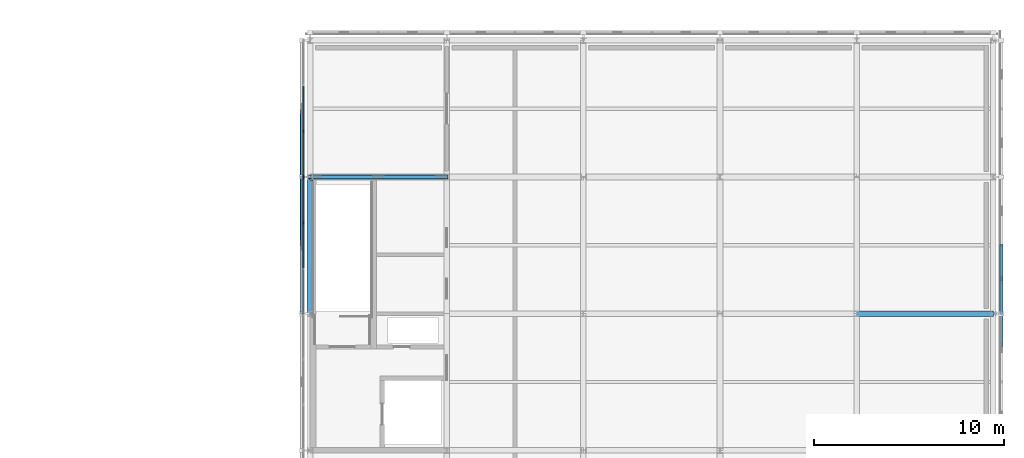
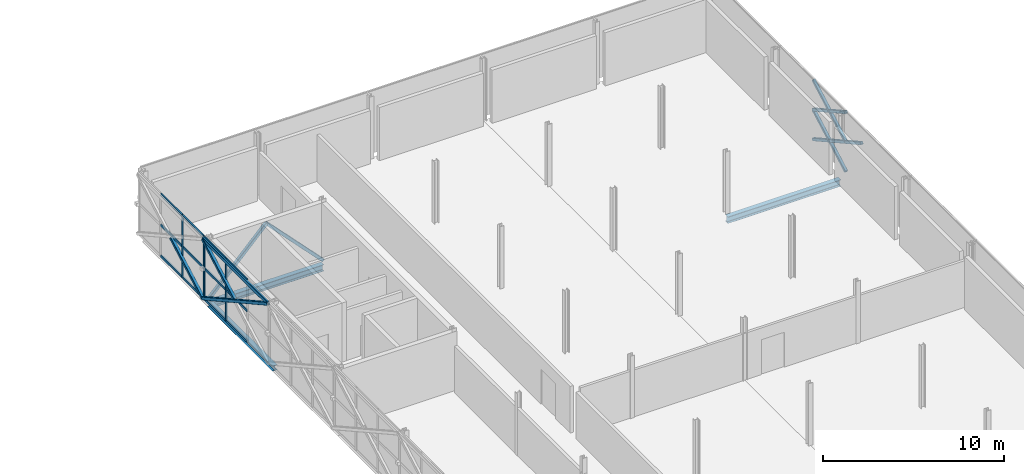
# One storey, part 77 of 146: 29 members, 3 beams, 2 elements without a shape of their own.
"""IFC4 building model written with IfcOpenShell, lengths in metres."""

from ifc_helpers import new_model, si_unit, direction, frame, origin, origin_2d, place, context, subcontext, project, spatial, rectangle, hollow_rectangle, i_section, extrude, material, material_profile, profile_set, type_object, element, aggregate, save


model = new_model("IFC4")

# Units and contexts
model_context = context("Model", 3, precision=1e-05, world=origin(), true_north=direction((0.0, 1.0)))
body_context = subcontext(model_context, "Body", "Model", "MODEL_VIEW")
ifc_project = project(units=[si_unit("LENGTHUNIT", "METRE"), si_unit("AREAUNIT", "SQUARE_METRE"), si_unit("VOLUMEUNIT", "CUBIC_METRE"), si_unit("PLANEANGLEUNIT", "RADIAN"), si_unit("MASSUNIT", "GRAM", prefix="KILO")], contexts=[model_context])

# Site, building, storey
site_placement = place(None, origin())
site = spatial("IfcSite", under=ifc_project, at=site_placement, CompositionType="ELEMENT")
building_placement = place(site_placement, origin())
building = spatial("IfcBuilding", under=site, at=building_placement, Name="Zlatovets Crest Museum", CompositionType="ELEMENT")
storey_placement = place(building_placement, frame((0.0, 0.0, 4.5)))
storey = spatial("IfcBuildingStorey", under=building, at=storey_placement, Name="L01", CompositionType="ELEMENT", Elevation=4.5)

# Beams
ifc_material_1 = material(Name="Structural steel S355J2", Category="steel")
ifc_material_profile_1 = material_profile(ifc_material_1, i_section(OverallWidth=0.300048828125, OverallDepth=0.35009765625, WebThickness=0.010009765625, FlangeThickness=0.017578125, FilletRadius=0.027099609375, at=origin_2d()), Name="HEA 360")
ifc_profile_set_1 = profile_set([ifc_material_profile_1], Name="Structural steel S355J2")
beam_type_1 = type_object("IfcBeamType", Name="Beam_B-03", PredefinedType="BEAM", material=ifc_profile_set_1)
beam_1_placement = place(storey_placement, frame((129.60009765625, 86.39990234375, -0.39501953125), z_axis=(0.0, 1.0, 0.0), x_axis=(-1.0, 0.0, 0.0)))
element("IfcBeam", 1, at=beam_1_placement, inside=storey, type_object=beam_type_1, Name="V5 L01 Grid Beam B-03", PredefinedType="BEAM", context=body_context, shape_type="SweptSolid", body=[
    extrude(i_section(OverallWidth=0.300048828125, OverallDepth=0.35009765625, WebThickness=0.010009765625, FlangeThickness=0.017578125, FilletRadius=0.027099609375, at=origin_2d()), origin(), (0.0, 0.0, 1.0), 7.2001953125),
])
ifc_material_profile_2 = material_profile(ifc_material_1, i_section(OverallWidth=0.300048828125, OverallDepth=0.43994140625, WebThickness=0.011474609375, FlangeThickness=0.02099609375, FilletRadius=0.027099609375, at=origin_2d()), Name="HEA 450")
ifc_profile_set_2 = profile_set([ifc_material_profile_2], Name="Structural steel S355J2")
beam_type_2 = type_object("IfcBeamType", Name="Beam_B-10", PredefinedType="BEAM", material=ifc_profile_set_2)
beam_2_placement = place(storey_placement, frame((158.39990234375, 86.39990234375, -0.43994140625), z_axis=(1.0, 0.0, 0.0), x_axis=(0.0, 1.0, 0.0)))
element("IfcBeam", 2, at=beam_2_placement, inside=storey, type_object=beam_type_2, Name="V5 L01 Primary Girder B-10", PredefinedType="BEAM", context=body_context, shape_type="SweptSolid", body=[
    extrude(i_section(OverallWidth=0.300048828125, OverallDepth=0.43994140625, WebThickness=0.011474609375, FlangeThickness=0.02099609375, FilletRadius=0.027099609375, at=origin_2d()), origin(), (0.0, 0.0, 1.0), 7.2001953125),
])
beam_3_placement = place(storey_placement, frame((129.60009765625, 93.60009765625, -0.43994140625), z_axis=(1.0, 0.0, 0.0), x_axis=(0.0, 1.0, 0.0)))
element("IfcBeam", 3, at=beam_3_placement, inside=storey, type_object=beam_type_2, Name="V5 L01 Primary Girder B-10", PredefinedType="BEAM", context=body_context, shape_type="SweptSolid", body=[
    extrude(i_section(OverallWidth=0.300048828125, OverallDepth=0.43994140625, WebThickness=0.011474609375, FlangeThickness=0.02099609375, FilletRadius=0.027099609375, at=origin_2d()), origin(), (0.0, 0.0, 1.0), 7.199951171875),
])

# Curtain wall, members
ifc_material_2 = material(Name="Bronze-anodised aluminium and low-E triple glass", Category="aluminium")
curtain_wall_type_1 = type_object("IfcCurtainWallType", Name="CW_CW-V5-L01-M2", PredefinedType="NOTDEFINED", material=ifc_material_2)
curtain_wall_1_placement = place(storey_placement, origin())
curtain_wall_1 = element("IfcCurtainWall", 4, at=curtain_wall_1_placement, inside=storey, type_object=curtain_wall_type_1, Name="V5 L01 Secession Foyer Clear Curtain Wall", PredefinedType="NOTDEFINED")
ifc_material_3 = material(Name="Bronze-anodised aluminium EN AW-6060", Category="aluminium")
ifc_material_profile_3 = material_profile(ifc_material_3, rectangle(XDim=0.080078125, YDim=0.159912109375, at=origin_2d()), Name="ALU 80x160")
ifc_profile_set_3 = profile_set([ifc_material_profile_3], Name="Bronze-anodised aluminium EN AW-6060")
member_type_1 = type_object("IfcMemberType", Name="CWMull_M1", PredefinedType="MULLION", material=ifc_profile_set_3)
member_1_placement = place(storey_placement, frame((129.260009765625, 96.0, 0.0), z_axis=(0.0, 0.0, 1.0), x_axis=(1.0, 0.0, 0.0)))
member_1 = element("IfcMember", 5, at=member_1_placement, type_object=member_type_1, Name="CW-V5-L01-M2 mullion 3", PredefinedType="MULLION", context=body_context, shape_type="SweptSolid", body=[
    extrude(rectangle(XDim=0.080078125, YDim=0.159912109375, at=origin_2d()), origin(), (0.0, 0.0, 1.0), 4.199951171875),
])
member_2_placement = place(storey_placement, frame((129.260009765625, 93.6298828125, 0.0), z_axis=(0.0, 0.0, 1.0), x_axis=(1.0, 0.0, 0.0)))
member_2 = element("IfcMember", 6, at=member_2_placement, type_object=member_type_1, Name="CW-V5-L01-M2 mullion 4", PredefinedType="MULLION", context=body_context, shape_type="SweptSolid", body=[
    extrude(rectangle(XDim=0.080078125, YDim=0.159912109375, at=origin_2d()), origin(), (0.0, 0.0, 1.0), 4.199951171875),
])

curtain_wall_type_2 = type_object("IfcCurtainWallType", Name="CW_CW-V5-L01-M3", PredefinedType="NOTDEFINED", material=ifc_material_2)
curtain_wall_2_placement = place(storey_placement, origin())
curtain_wall_2 = element("IfcCurtainWall", 7, at=curtain_wall_2_placement, inside=storey, type_object=curtain_wall_type_2, Name="V5 L01 Expressed Core Glazed Facade", PredefinedType="NOTDEFINED")
member_3_placement = place(storey_placement, frame((129.260009765625, 93.570068359375, 0.0), z_axis=(0.0, 0.0, 1.0), x_axis=(1.0, 0.0, 0.0)))
member_3 = element("IfcMember", 8, at=member_3_placement, type_object=member_type_1, Name="CW-V5-L01-M3 mullion 1", PredefinedType="MULLION", context=body_context, shape_type="SweptSolid", body=[
    extrude(rectangle(XDim=0.080078125, YDim=0.159912109375, at=origin_2d()), origin(), (0.0, 0.0, 1.0), 4.199951171875),
])
member_4_placement = place(storey_placement, frame((129.260009765625, 91.199951171875, 0.0), z_axis=(0.0, 0.0, 1.0), x_axis=(1.0, 0.0, 0.0)))
member_4 = element("IfcMember", 9, at=member_4_placement, type_object=member_type_1, Name="CW-V5-L01-M3 mullion 2", PredefinedType="MULLION", context=body_context, shape_type="SweptSolid", body=[
    extrude(rectangle(XDim=0.080078125, YDim=0.159912109375, at=origin_2d()), origin(), (0.0, 0.0, 1.0), 4.199951171875),
])

# Member
ifc_material_profile_4 = material_profile(ifc_material_3, rectangle(XDim=0.080078125, YDim=0.159912109375, at=origin_2d()), Name="ALU 80x160")
ifc_profile_set_4 = profile_set([ifc_material_profile_4], Name="Bronze-anodised aluminium EN AW-6060")
member_type_2 = type_object("IfcMemberType", Name="CWTrans_T1", PredefinedType="USERDEFINED", material=ifc_profile_set_4)
member_5_placement = place(storey_placement, frame((129.260009765625, 98.3701171875, 0.030029296875), z_axis=(0.0, -1.0, 0.0), x_axis=(1.0, 0.0, 0.0)))
member_5 = element("IfcMember", 10, at=member_5_placement, type_object=member_type_2, Name="CW-V5-L01-M2 transom 2.1", ObjectType="TRANSOM", PredefinedType="USERDEFINED", context=body_context, shape_type="SweptSolid", body=[
    extrude(rectangle(XDim=0.080078125, YDim=0.159912109375, at=origin_2d()), origin(), (0.0, 0.0, 1.0), 2.340087890625),
])

member_6_placement = place(storey_placement, frame((129.260009765625, 98.3701171875, 2.10009765625), z_axis=(0.0, -1.0, 0.0), x_axis=(1.0, 0.0, 0.0)))
member_6 = element("IfcMember", 11, at=member_6_placement, type_object=member_type_2, Name="CW-V5-L01-M2 transom 2.2", ObjectType="TRANSOM", PredefinedType="USERDEFINED", context=body_context, shape_type="SweptSolid", body=[
    extrude(rectangle(XDim=0.080078125, YDim=0.159912109375, at=origin_2d()), origin(), (0.0, 0.0, 1.0), 2.340087890625),
])

member_7_placement = place(storey_placement, frame((129.260009765625, 98.3701171875, 4.169921875), z_axis=(0.0, -1.0, 0.0), x_axis=(1.0, 0.0, 0.0)))
member_7 = element("IfcMember", 12, at=member_7_placement, type_object=member_type_2, Name="CW-V5-L01-M2 transom 2.3", ObjectType="TRANSOM", PredefinedType="USERDEFINED", context=body_context, shape_type="SweptSolid", body=[
    extrude(rectangle(XDim=0.080078125, YDim=0.159912109375, at=origin_2d()), origin(), (0.0, 0.0, 1.0), 2.340087890625),
])

member_8_placement = place(storey_placement, frame((129.260009765625, 95.969970703125, 0.030029296875), z_axis=(0.0, -1.0, 0.0), x_axis=(1.0, 0.0, 0.0)))
member_8 = element("IfcMember", 13, at=member_8_placement, type_object=member_type_2, Name="CW-V5-L01-M2 transom 3.1", ObjectType="TRANSOM", PredefinedType="USERDEFINED", context=body_context, shape_type="SweptSolid", body=[
    extrude(rectangle(XDim=0.080078125, YDim=0.159912109375, at=origin_2d()), origin(), (0.0, 0.0, 1.0), 2.31005859375),
])

member_9_placement = place(storey_placement, frame((129.260009765625, 95.969970703125, 2.10009765625), z_axis=(0.0, -1.0, 0.0), x_axis=(1.0, 0.0, 0.0)))
member_9 = element("IfcMember", 14, at=member_9_placement, type_object=member_type_2, Name="CW-V5-L01-M2 transom 3.2", ObjectType="TRANSOM", PredefinedType="USERDEFINED", context=body_context, shape_type="SweptSolid", body=[
    extrude(rectangle(XDim=0.080078125, YDim=0.159912109375, at=origin_2d()), origin(), (0.0, 0.0, 1.0), 2.31005859375),
])

member_10_placement = place(storey_placement, frame((129.260009765625, 95.969970703125, 4.169921875), z_axis=(0.0, -1.0, 0.0), x_axis=(1.0, 0.0, 0.0)))
member_10 = element("IfcMember", 15, at=member_10_placement, type_object=member_type_2, Name="CW-V5-L01-M2 transom 3.3", ObjectType="TRANSOM", PredefinedType="USERDEFINED", context=body_context, shape_type="SweptSolid", body=[
    extrude(rectangle(XDim=0.080078125, YDim=0.159912109375, at=origin_2d()), origin(), (0.0, 0.0, 1.0), 2.31005859375),
])

aggregate(curtain_wall_1, [member_1, member_2, member_5, member_6, member_7, member_8, member_9, member_10])

member_11_placement = place(storey_placement, frame((129.260009765625, 93.5400390625, 0.030029296875), z_axis=(0.0, -1.0, 0.0), x_axis=(1.0, 0.0, 0.0)))
member_11 = element("IfcMember", 16, at=member_11_placement, type_object=member_type_2, Name="CW-V5-L01-M3 transom 1.1", ObjectType="TRANSOM", PredefinedType="USERDEFINED", context=body_context, shape_type="SweptSolid", body=[
    extrude(rectangle(XDim=0.080078125, YDim=0.159912109375, at=origin_2d()), origin(), (0.0, 0.0, 1.0), 2.31005859375),
])

member_12_placement = place(storey_placement, frame((129.260009765625, 93.5400390625, 2.10009765625), z_axis=(0.0, -1.0, 0.0), x_axis=(1.0, 0.0, 0.0)))
member_12 = element("IfcMember", 17, at=member_12_placement, type_object=member_type_2, Name="CW-V5-L01-M3 transom 1.2", ObjectType="TRANSOM", PredefinedType="USERDEFINED", context=body_context, shape_type="SweptSolid", body=[
    extrude(rectangle(XDim=0.080078125, YDim=0.159912109375, at=origin_2d()), origin(), (0.0, 0.0, 1.0), 2.31005859375),
])

member_13_placement = place(storey_placement, frame((129.260009765625, 93.5400390625, 4.169921875), z_axis=(0.0, -1.0, 0.0), x_axis=(1.0, 0.0, 0.0)))
member_13 = element("IfcMember", 18, at=member_13_placement, type_object=member_type_2, Name="CW-V5-L01-M3 transom 1.3", ObjectType="TRANSOM", PredefinedType="USERDEFINED", context=body_context, shape_type="SweptSolid", body=[
    extrude(rectangle(XDim=0.080078125, YDim=0.159912109375, at=origin_2d()), origin(), (0.0, 0.0, 1.0), 2.31005859375),
])

member_14_placement = place(storey_placement, frame((129.260009765625, 91.169921875, 0.030029296875), z_axis=(0.0, -1.0, 0.0), x_axis=(1.0, 0.0, 0.0)))
member_14 = element("IfcMember", 19, at=member_14_placement, type_object=member_type_2, Name="CW-V5-L01-M3 transom 2.1", ObjectType="TRANSOM", PredefinedType="USERDEFINED", context=body_context, shape_type="SweptSolid", body=[
    extrude(rectangle(XDim=0.080078125, YDim=0.159912109375, at=origin_2d()), origin(), (0.0, 0.0, 1.0), 2.33984375),
])

member_15_placement = place(storey_placement, frame((129.260009765625, 91.169921875, 2.10009765625), z_axis=(0.0, -1.0, 0.0), x_axis=(1.0, 0.0, 0.0)))
member_15 = element("IfcMember", 20, at=member_15_placement, type_object=member_type_2, Name="CW-V5-L01-M3 transom 2.2", ObjectType="TRANSOM", PredefinedType="USERDEFINED", context=body_context, shape_type="SweptSolid", body=[
    extrude(rectangle(XDim=0.080078125, YDim=0.159912109375, at=origin_2d()), origin(), (0.0, 0.0, 1.0), 2.33984375),
])

member_16_placement = place(storey_placement, frame((129.260009765625, 91.169921875, 4.169921875), z_axis=(0.0, -1.0, 0.0), x_axis=(1.0, 0.0, 0.0)))
member_16 = element("IfcMember", 21, at=member_16_placement, type_object=member_type_2, Name="CW-V5-L01-M3 transom 2.3", ObjectType="TRANSOM", PredefinedType="USERDEFINED", context=body_context, shape_type="SweptSolid", body=[
    extrude(rectangle(XDim=0.080078125, YDim=0.159912109375, at=origin_2d()), origin(), (0.0, 0.0, 1.0), 2.33984375),
])

aggregate(curtain_wall_2, [member_3, member_4, member_11, member_12, member_13, member_14, member_15, member_16])

# Members
ifc_material_4 = material(Name="Weathering bronze-steel S355J2W", Category="steel")
ifc_material_profile_5 = material_profile(ifc_material_4, hollow_rectangle(XDim=0.179931640625, YDim=0.179931640625, WallThickness=0.010009765625, InnerFilletRadius=0.010009765625, OuterFilletRadius=0.02001953125, at=origin_2d()), Name="SHS 180x180x10.0")
ifc_profile_set_5 = profile_set([ifc_material_profile_5], Name="Weathering bronze-steel S355J2W")
member_type_3 = type_object("IfcMemberType", Name="Lattice_XL-01", PredefinedType="BRACE", material=ifc_profile_set_5)
member_17_placement = place(storey_placement, frame((166.02001953125, 84.68310546875, 3.053955078125), z_axis=(0.0, 0.874139684676, -0.48567459443), x_axis=(-1.0, 0.0, 0.0)))
element("IfcMember", 22, at=member_17_placement, inside=storey, type_object=member_type_3, Name="Split Crossing Bronze Lattice Diagonal Lower", PredefinedType="BRACE", context=body_context, shape_type="SweptSolid", body=[
    extrude(hollow_rectangle(XDim=0.179931640625, YDim=0.179931640625, WallThickness=0.010009765625, InnerFilletRadius=0.010009765625, OuterFilletRadius=0.02001953125, at=origin_2d()), origin(), (0.0, 0.0, 1.0), 1.9638671875),
])
member_18_placement = place(storey_placement, frame((166.02001953125, 86.39990234375, 0.10009765625), z_axis=(0.0, 0.874162868644, 0.485632864501), x_axis=(-1.0, 0.0, 0.0)))
element("IfcMember", 23, at=member_18_placement, inside=storey, type_object=member_type_3, Name="Continuous Bronze Lattice Diagonal", PredefinedType="BRACE", context=body_context, shape_type="SweptSolid", body=[
    extrude(hollow_rectangle(XDim=0.179931640625, YDim=0.179931640625, WallThickness=0.010009765625, InnerFilletRadius=0.010009765625, OuterFilletRadius=0.02001953125, at=origin_2d()), origin(), (0.0, 0.0, 1.0), 4.118408203125),
])
member_19_placement = place(storey_placement, frame((166.02001953125, 86.39990234375, 2.10009765625), z_axis=(0.0, 0.874116234569, -0.48571679862), x_axis=(-1.0, 0.0, 0.0)))
element("IfcMember", 24, at=member_19_placement, inside=storey, type_object=member_type_3, Name="Split Crossing Bronze Lattice Diagonal Upper", PredefinedType="BRACE", context=body_context, shape_type="SweptSolid", body=[
    extrude(hollow_rectangle(XDim=0.179931640625, YDim=0.179931640625, WallThickness=0.010009765625, InnerFilletRadius=0.010009765625, OuterFilletRadius=0.02001953125, at=origin_2d()), origin(), (0.0, 0.0, 1.0), 1.96435546875),
])
member_20_placement = place(storey_placement, frame((166.02001953125, 88.282958984375, 1.053955078125), z_axis=(0.0, 0.874169001841, -0.485621824284), x_axis=(-1.0, 0.0, 0.0)))
element("IfcMember", 25, at=member_20_placement, inside=storey, type_object=member_type_3, Name="Split Crossing Bronze Lattice Diagonal Lower", PredefinedType="BRACE", context=body_context, shape_type="SweptSolid", body=[
    extrude(hollow_rectangle(XDim=0.179931640625, YDim=0.179931640625, WallThickness=0.010009765625, InnerFilletRadius=0.010009765625, OuterFilletRadius=0.02001953125, at=origin_2d()), origin(), (0.0, 0.0, 1.0), 1.964111328125),
])
member_21_placement = place(storey_placement, frame((166.02001953125, 86.39990234375, 2.10009765625), z_axis=(0.0, 0.874162868644, 0.485632864501), x_axis=(-1.0, 0.0, 0.0)))
element("IfcMember", 26, at=member_21_placement, inside=storey, type_object=member_type_3, Name="Continuous Bronze Lattice Diagonal", PredefinedType="BRACE", context=body_context, shape_type="SweptSolid", body=[
    extrude(hollow_rectangle(XDim=0.179931640625, YDim=0.179931640625, WallThickness=0.010009765625, InnerFilletRadius=0.010009765625, OuterFilletRadius=0.02001953125, at=origin_2d()), origin(), (0.0, 0.0, 1.0), 4.118408203125),
])
member_22_placement = place(storey_placement, frame((166.02001953125, 86.39990234375, 4.10009765625), z_axis=(0.0, 0.874116234569, -0.48571679862), x_axis=(-1.0, 0.0, 0.0)))
element("IfcMember", 27, at=member_22_placement, inside=storey, type_object=member_type_3, Name="Split Crossing Bronze Lattice Diagonal Upper", PredefinedType="BRACE", context=body_context, shape_type="SweptSolid", body=[
    extrude(hollow_rectangle(XDim=0.179931640625, YDim=0.179931640625, WallThickness=0.010009765625, InnerFilletRadius=0.010009765625, OuterFilletRadius=0.02001953125, at=origin_2d()), origin(), (0.0, 0.0, 1.0), 1.96435546875),
])
member_23_placement = place(storey_placement, frame((166.02001953125, 88.282958984375, 3.053955078125), z_axis=(0.0, 0.874169001841, -0.485621824284), x_axis=(-1.0, 0.0, 0.0)))
element("IfcMember", 28, at=member_23_placement, inside=storey, type_object=member_type_3, Name="Split Crossing Bronze Lattice Diagonal Lower", PredefinedType="BRACE", context=body_context, shape_type="SweptSolid", body=[
    extrude(hollow_rectangle(XDim=0.179931640625, YDim=0.179931640625, WallThickness=0.010009765625, InnerFilletRadius=0.010009765625, OuterFilletRadius=0.02001953125, at=origin_2d()), origin(), (0.0, 0.0, 1.0), 1.964111328125),
])
ifc_material_profile_6 = material_profile(ifc_material_4, hollow_rectangle(XDim=0.199951171875, YDim=0.199951171875, WallThickness=0.012451171875, InnerFilletRadius=0.012451171875, OuterFilletRadius=0.02490234375, at=origin_2d()), Name="SHS 200x200x12.5")
ifc_profile_set_6 = profile_set([ifc_material_profile_6], Name="Weathering bronze-steel S355J2W")
member_type_4 = type_object("IfcMemberType", Name="Lattice_XL-02", PredefinedType="BRACE", material=ifc_profile_set_6)
member_24_placement = place(storey_placement, frame((129.179931640625, 97.116943359375, 2.053955078125), z_axis=(0.0, -0.874151551165, -0.485653235958), x_axis=(1.0, 0.0, 0.0)))
element("IfcMember", 29, at=member_24_placement, inside=storey, type_object=member_type_4, Name="Split Crossing Bronze Lattice Diagonal Lower", PredefinedType="BRACE", context=body_context, shape_type="SweptSolid", body=[
    extrude(hollow_rectangle(XDim=0.199951171875, YDim=0.199951171875, WallThickness=0.012451171875, InnerFilletRadius=0.012451171875, OuterFilletRadius=0.02490234375, at=origin_2d()), origin(), (0.0, 0.0, 1.0), 4.023193359375),
])
member_25_placement = place(storey_placement, frame((129.179931640625, 93.60009765625, 0.10009765625), z_axis=(0.0, -0.874162868644, 0.485632864501), x_axis=(1.0, 0.0, 0.0)))
element("IfcMember", 30, at=member_25_placement, inside=storey, type_object=member_type_4, Name="Continuous Bronze Lattice Diagonal", PredefinedType="BRACE", context=body_context, shape_type="SweptSolid", body=[
    extrude(hollow_rectangle(XDim=0.199951171875, YDim=0.199951171875, WallThickness=0.012451171875, InnerFilletRadius=0.012451171875, OuterFilletRadius=0.02490234375, at=origin_2d()), origin(), (0.0, 0.0, 1.0), 8.236572265625),
])
member_26_placement = place(storey_placement, frame((129.179931640625, 93.60009765625, 4.10009765625), z_axis=(0.0, -0.874140102304, -0.485673842763), x_axis=(1.0, 0.0, 0.0)))
element("IfcMember", 31, at=member_26_placement, inside=storey, type_object=member_type_4, Name="Split Crossing Bronze Lattice Diagonal Upper", PredefinedType="BRACE", context=body_context, shape_type="SweptSolid", body=[
    extrude(hollow_rectangle(XDim=0.199951171875, YDim=0.199951171875, WallThickness=0.012451171875, InnerFilletRadius=0.012451171875, OuterFilletRadius=0.02490234375, at=origin_2d()), origin(), (0.0, 0.0, 1.0), 4.0234375),
])
ifc_material_profile_7 = material_profile(ifc_material_4, hollow_rectangle(XDim=0.1201171875, YDim=0.239990234375, WallThickness=0.010009765625, InnerFilletRadius=0.010009765625, OuterFilletRadius=0.02001953125, at=origin_2d()), Name="RHS 120x240x10.0")
ifc_profile_set_7 = profile_set([ifc_material_profile_7], Name="Weathering bronze-steel S355J2W")
member_type_5 = type_object("IfcMemberType", Name="Lattice_XL-04", PredefinedType="CHORD", material=ifc_profile_set_7)
member_27_placement = place(storey_placement, frame((129.179931640625, 93.60009765625, 4.10009765625), z_axis=(0.0, -1.0, 0.0), x_axis=(1.0, 0.0, 0.0)))
element("IfcMember", 32, at=member_27_placement, inside=storey, type_object=member_type_5, Name="Art Nouveau Woven Cage Collector Ring Chord", PredefinedType="CHORD", context=body_context, shape_type="SweptSolid", body=[
    extrude(hollow_rectangle(XDim=0.1201171875, YDim=0.239990234375, WallThickness=0.010009765625, InnerFilletRadius=0.010009765625, OuterFilletRadius=0.02001953125, at=origin_2d()), origin(), (0.0, 0.0, 1.0), 7.2001953125),
])
ifc_material_profile_8 = material_profile(ifc_material_1, hollow_rectangle(XDim=0.199951171875, YDim=0.199951171875, WallThickness=0.012451171875, InnerFilletRadius=0.012451171875, OuterFilletRadius=0.02490234375, at=origin_2d()), Name="SHS 200x200x12.5")
ifc_profile_set_8 = profile_set([ifc_material_profile_8], Name="Structural steel S355J2")
member_type_6 = type_object("IfcMemberType", Name="Member_BR-01", PredefinedType="BRACE", material=ifc_profile_set_8)
member_28_placement = place(storey_placement, frame((129.60009765625, 93.60009765625, 0.0), z_axis=(0.692517163318, 0.0, 0.721401399021), x_axis=(0.0, 1.0, 0.0)))
element("IfcMember", 33, at=member_28_placement, inside=storey, type_object=member_type_6, Name="V5 L01 Concentric Seismic Brace", PredefinedType="BRACE", context=body_context, shape_type="SweptSolid", body=[
    extrude(hollow_rectangle(XDim=0.199951171875, YDim=0.199951171875, WallThickness=0.012451171875, InnerFilletRadius=0.012451171875, OuterFilletRadius=0.02490234375, at=origin_2d()), origin(), (0.0, 0.0, 1.0), 5.1982421875),
])
member_29_placement = place(storey_placement, frame((136.800048828125, 93.60009765625, 0.0), z_axis=(-0.692541604294, 0.0, 0.721377935844), x_axis=(0.0, -1.0, 0.0)))
element("IfcMember", 34, at=member_29_placement, inside=storey, type_object=member_type_6, Name="V5 L01 Concentric Seismic Brace", PredefinedType="BRACE", context=body_context, shape_type="SweptSolid", body=[
    extrude(hollow_rectangle(XDim=0.199951171875, YDim=0.199951171875, WallThickness=0.012451171875, InnerFilletRadius=0.012451171875, OuterFilletRadius=0.02490234375, at=origin_2d()), origin(), (0.0, 0.0, 1.0), 5.198486328125),
])

save(model, "model.ifc")
